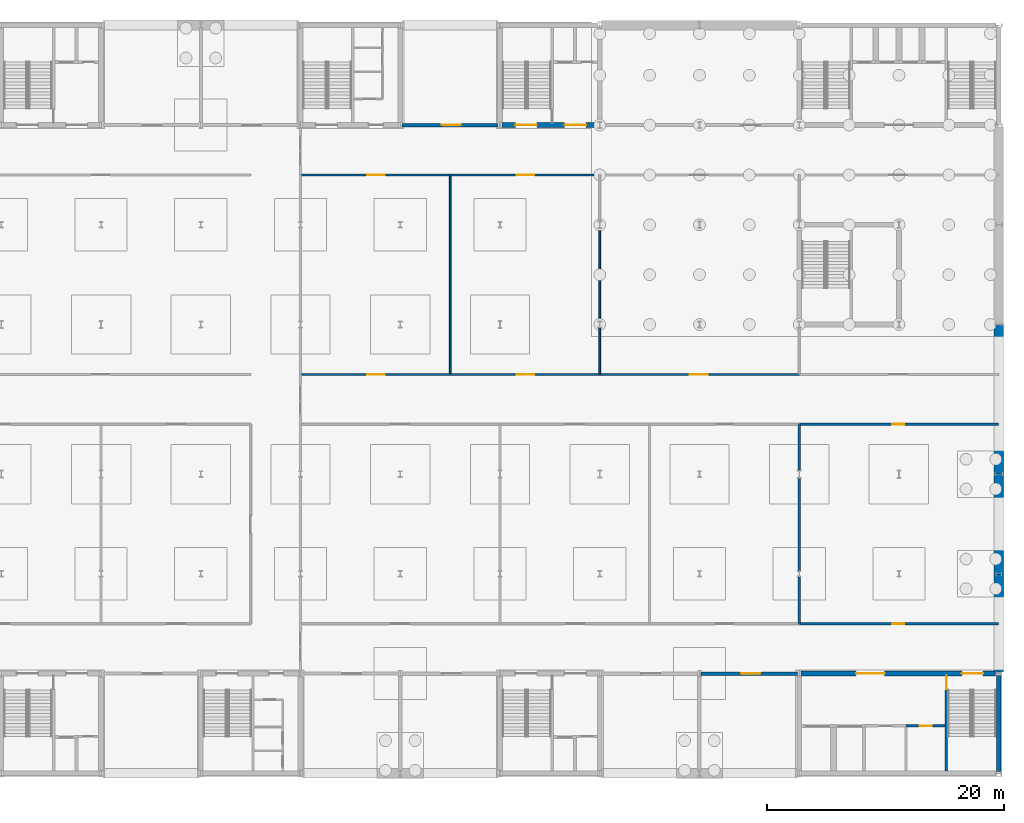
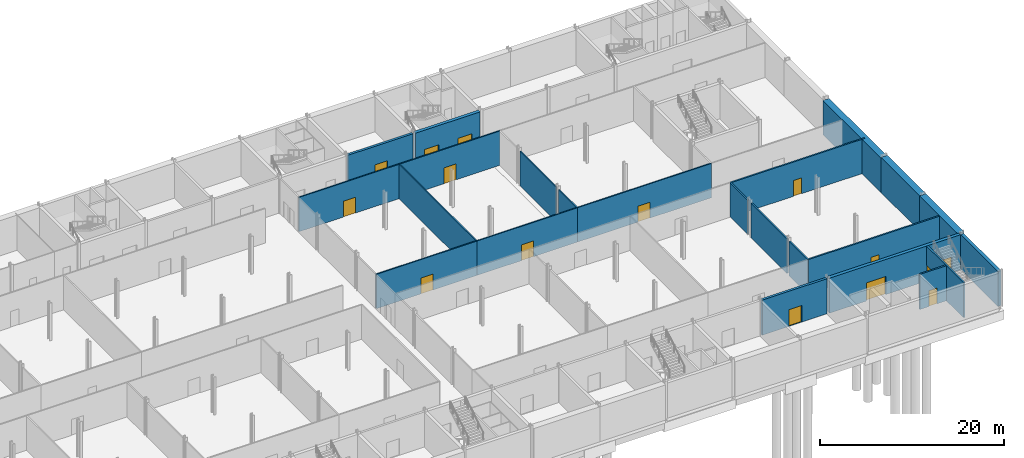
# One storey, part 17 of 22: 23 walls, 15 doors, 15 openings.
"""IFC4 building model written with IfcOpenShell, lengths in metres."""

from ifc_helpers import new_model, si_unit, direction, frame, frame_2d, origin, place, context, subcontext, project, spatial, rectangle, extrude, material, layer, layer_set, type_object, element, fill, save


model = new_model("IFC4")

# Units and contexts
model_context = context("Model", 3, precision=1e-05, world=origin(), true_north=direction((0.0, 1.0)))
body_context = subcontext(model_context, "Body", "Model", "MODEL_VIEW")
ifc_project = project(units=[si_unit("LENGTHUNIT", "METRE"), si_unit("AREAUNIT", "SQUARE_METRE"), si_unit("VOLUMEUNIT", "CUBIC_METRE"), si_unit("PLANEANGLEUNIT", "RADIAN"), si_unit("MASSUNIT", "GRAM", prefix="KILO")], contexts=[model_context])

# Site, building, storey
site_placement = place(None, origin())
site = spatial("IfcSite", under=ifc_project, at=site_placement, CompositionType="ELEMENT")
building_placement = place(site_placement, origin())
building = spatial("IfcBuilding", under=site, at=building_placement, Name="Galleria Vessillo Department Store", CompositionType="ELEMENT")
storey_placement = place(building_placement, frame((0.0, 0.0, -9.89990234375)))
storey = spatial("IfcBuildingStorey", under=building, at=storey_placement, Name="B2", CompositionType="ELEMENT", Elevation=-9.89990234375)

# Walls
ifc_material_1 = material(Name="Concrete C32/40 reinforced", Category="concrete")
ifc_layer_1 = layer(ifc_material_1, 0.800048828125)
ifc_layer_set_1 = layer_set([ifc_layer_1], Name="Concrete C32/40 reinforced")
wall_type_1 = type_object("IfcWallType", Name="Diaphragm wall 800 mm", PredefinedType="SOLIDWALL", material=ifc_layer_set_1)
wall_1_placement = place(storey_placement, frame((117.60009765625, 8.5498046875, 0.0), z_axis=(0.0, 0.0, 1.0), x_axis=(0.0, 1.0, 0.0)))
element("IfcWall", 1, at=wall_1_placement, inside=storey, type_object=wall_type_1, Name="S-BW-E-B2-01", PredefinedType="SOLIDWALL", context=body_context, shape_type="SweptSolid", body=[
    extrude(rectangle(XDim=8.250244140625, YDim=0.800048828125, at=frame_2d((4.125, 0.0))), origin(), (0.0, 0.0, 1.0), 4.64990234375),
])
wall_2_placement = place(storey_placement, frame((117.60009765625, 16.800048828125, 0.0), z_axis=(0.0, 0.0, 1.0), x_axis=(0.0, 1.0, 0.0)))
element("IfcWall", 2, at=wall_2_placement, inside=storey, type_object=wall_type_1, Name="S-BW-E-B2-02", PredefinedType="SOLIDWALL", context=body_context, shape_type="SweptSolid", body=[
    extrude(rectangle(XDim=8.39990234375, YDim=0.800048828125, at=frame_2d((4.199951171875, 0.0))), origin(), (0.0, 0.0, 1.0), 4.64990234375),
])
wall_3_placement = place(storey_placement, frame((117.60009765625, 25.199951171875, 0.0), z_axis=(0.0, 0.0, 1.0), x_axis=(0.0, 1.0, 0.0)))
element("IfcWall", 3, at=wall_3_placement, inside=storey, type_object=wall_type_1, Name="S-BW-E-B2-03", PredefinedType="SOLIDWALL", context=body_context, shape_type="SweptSolid", body=[
    extrude(rectangle(XDim=12.60009765625, YDim=0.800048828125, at=frame_2d((6.300048828125, 0.0))), origin(), (0.0, 0.0, 1.0), 4.550048828125),
])

# Wall, opening, door
ifc_material_2 = material(Name="Brick masonry", Category="masonry")
ifc_layer_2 = layer(ifc_material_2, 0.300048828125)
ifc_layer_set_2 = layer_set([ifc_layer_2], Name="Brick masonry")
wall_type_2 = type_object("IfcWallType", Name="Electrical room masonry wall 300 mm", PredefinedType="SOLIDWALL", material=ifc_layer_set_2)
wall_4_placement = place(storey_placement, frame((92.5498046875, 8.39990234375, 0.0), z_axis=(0.0, 0.0, 1.0), x_axis=(1.0, 0.0, 0.0)))
wall_4 = element("IfcWall", 4, at=wall_4_placement, inside=storey, type_object=wall_type_2, Name="Partition wall PT11 on B2 no. 025", PredefinedType="SOLIDWALL", context=body_context, shape_type="SweptSolid", body=[
    extrude(rectangle(XDim=8.100341796875, YDim=0.300048828125, at=frame_2d((4.05029296875, 0.0))), origin(), (0.0, 0.0, 1.0), 4.64990234375),
])
opening_1_placement = place(wall_4_placement, frame((3.35009765625, 0.0, 0.0)))
opening_1 = element("IfcOpeningElement", 5, at=opening_1_placement, cuts=wall_4, Name="Opening D2020", PredefinedType="OPENING", context=body_context, shape_type="SweptSolid", body=[
    extrude(rectangle(XDim=1.60009765625, YDim=2.199951171875, at=frame_2d((0.800048828125, 1.10009765625))), frame((0.0, 0.16015625, 0.0), z_axis=(0.0, -1.0, 0.0), x_axis=(1.0, 0.0, 0.0)), (0.0, 0.0, 1.0), 0.320068359375),
])
ifc_material_3 = material(Name="Steel fire door leaf", Category="steel")
door_type_1 = type_object("IfcDoorType", Name="Plant room fire door 1600 x 2200 double leaf", OperationType="DOUBLE_DOOR_SINGLE_SWING", PredefinedType="DOOR", material=ifc_material_3)
door_1_placement = place(opening_1_placement, frame((1.60009765625, 0.0, 0.0), z_axis=(0.0, 0.0, 1.0), x_axis=(-1.0, 0.0, 0.0)))
door_1 = element("IfcDoor", 6, at=door_1_placement, inside=storey, type_object=door_type_1, Name="Door D2020", OperationType="DOUBLE_DOOR_SINGLE_SWING", OverallHeight=2.199951171875, OverallWidth=1.60009765625, PredefinedType="DOOR", context=body_context, shape_type="SweptSolid", body=[
    extrude(rectangle(XDim=1.60009765625, YDim=2.199951171875, at=frame_2d((0.800048828125, 1.10009765625))), frame((0.0, 0.02490234375, 0.0), z_axis=(0.0, -1.0, 0.0), x_axis=(1.0, 0.0, 0.0)), (0.0, 0.0, 1.0), 0.050048828125),
])
fill(opening_1, door_1)

wall_5_placement = place(storey_placement, frame((67.349853515625, 54.60009765625, 0.0), z_axis=(0.0, 0.0, 1.0), x_axis=(1.0, 0.0, 0.0)))
wall_5 = element("IfcWall", 7, at=wall_5_placement, inside=storey, type_object=wall_type_2, Name="Partition wall PT11 on B2 no. 061", PredefinedType="SOLIDWALL", context=body_context, shape_type="SweptSolid", body=[
    extrude(rectangle(XDim=8.100341796875, YDim=0.300048828125, at=frame_2d((4.05029296875, 0.0))), origin(), (0.0, 0.0, 1.0), 4.64990234375),
])
opening_2_placement = place(wall_5_placement, frame((3.35009765625, 0.0, 0.0)))
opening_2 = element("IfcOpeningElement", 8, at=opening_2_placement, cuts=wall_5, Name="Opening D2057", PredefinedType="OPENING", context=body_context, shape_type="SweptSolid", body=[
    extrude(rectangle(XDim=1.60009765625, YDim=2.199951171875, at=frame_2d((0.800048828125, 1.10009765625))), frame((0.0, 0.16015625, 0.0), z_axis=(0.0, -1.0, 0.0), x_axis=(1.0, 0.0, 0.0)), (0.0, 0.0, 1.0), 0.320068359375),
])
door_2_placement = place(opening_2_placement, origin())
door_2 = element("IfcDoor", 9, at=door_2_placement, inside=storey, type_object=door_type_1, Name="Door D2057", OperationType="DOUBLE_DOOR_SINGLE_SWING", OverallHeight=2.199951171875, OverallWidth=1.60009765625, PredefinedType="DOOR", context=body_context, shape_type="SweptSolid", body=[
    extrude(rectangle(XDim=1.60009765625, YDim=2.199951171875, at=frame_2d((0.800048828125, 1.10009765625))), frame((0.0, 0.02490234375, 0.0), z_axis=(0.0, -1.0, 0.0), x_axis=(1.0, 0.0, 0.0)), (0.0, 0.0, 1.0), 0.050048828125),
])
fill(opening_2, door_2)

ifc_material_4 = material(Name="Concrete blockwork", Category="masonry")
ifc_layer_3 = layer(ifc_material_4, 0.18994140625)
ifc_layer_set_3 = layer_set([ifc_layer_3], Name="Concrete blockwork")
wall_type_3 = type_object("IfcWallType", Name="Refuse store and dock blockwork wall 190 mm", PredefinedType="SOLIDWALL", material=ifc_layer_set_3)
wall_6_placement = place(storey_placement, frame((100.800048828125, 12.60009765625, 0.0), z_axis=(0.0, 0.0, 1.0), x_axis=(1.0, 0.0, 0.0)))
wall_6 = element("IfcWall", 10, at=wall_6_placement, inside=storey, type_object=wall_type_3, Name="Partition wall PT7 on B2 no. 029", PredefinedType="SOLIDWALL", context=body_context, shape_type="SweptSolid", body=[
    extrude(rectangle(XDim=16.800048828125, YDim=0.18994140625, at=frame_2d((8.39990234375, 0.0))), origin(), (0.0, 0.0, 1.0), 4.550048828125),
])
opening_3_placement = place(wall_6_placement, frame((7.85009765625, 0.0, 0.0)))
opening_3 = element("IfcOpeningElement", 11, at=opening_3_placement, cuts=wall_6, Name="Opening D2024", PredefinedType="OPENING", context=body_context, shape_type="SweptSolid", body=[
    extrude(rectangle(XDim=1.0, YDim=2.10009765625, at=frame_2d((0.5, 1.050048828125))), frame((0.0, 0.10498046875, 0.0), z_axis=(0.0, -1.0, 0.0), x_axis=(1.0, 0.0, 0.0)), (0.0, 0.0, 1.0), 0.2099609375),
])
ifc_material_5 = material(Name="Steel fire door leaf", Category="steel")
door_type_2 = type_object("IfcDoorType", Name="Fire door 1000 single leaf", OperationType="SINGLE_SWING_LEFT", PredefinedType="DOOR", material=ifc_material_5)
door_3_placement = place(opening_3_placement, origin())
door_3 = element("IfcDoor", 12, at=door_3_placement, inside=storey, type_object=door_type_2, Name="Door D2024", OperationType="SINGLE_SWING_RIGHT", OverallHeight=2.10009765625, OverallWidth=1.0, PredefinedType="DOOR", context=body_context, shape_type="SweptSolid", body=[
    extrude(rectangle(XDim=1.0, YDim=2.10009765625, at=frame_2d((0.5, 1.050048828125))), frame((0.0, 0.02490234375, 0.0), z_axis=(0.0, -1.0, 0.0), x_axis=(1.0, 0.0, 0.0)), (0.0, 0.0, 1.0), 0.050048828125),
])
fill(opening_3, door_3)

wall_7_placement = place(storey_placement, frame((100.800048828125, 29.39990234375, 0.0), z_axis=(0.0, 0.0, 1.0), x_axis=(1.0, 0.0, 0.0)))
wall_7 = element("IfcWall", 13, at=wall_7_placement, inside=storey, type_object=wall_type_3, Name="Partition wall PT7 on B2 no. 041", PredefinedType="SOLIDWALL", context=body_context, shape_type="SweptSolid", body=[
    extrude(rectangle(XDim=16.800048828125, YDim=0.18994140625, at=frame_2d((8.39990234375, 0.0))), origin(), (0.0, 0.0, 1.0), 4.550048828125),
])
opening_4_placement = place(wall_7_placement, frame((7.85009765625, 0.0, 0.0)))
opening_4 = element("IfcOpeningElement", 14, at=opening_4_placement, cuts=wall_7, Name="Opening D2037", PredefinedType="OPENING", context=body_context, shape_type="SweptSolid", body=[
    extrude(rectangle(XDim=1.0, YDim=2.10009765625, at=frame_2d((0.5, 1.050048828125))), frame((0.0, 0.10498046875, 0.0), z_axis=(0.0, -1.0, 0.0), x_axis=(1.0, 0.0, 0.0)), (0.0, 0.0, 1.0), 0.2099609375),
])
door_4_placement = place(opening_4_placement, frame((1.0, 0.0, 0.0), z_axis=(0.0, 0.0, 1.0), x_axis=(-1.0, 0.0, 0.0)))
door_4 = element("IfcDoor", 15, at=door_4_placement, inside=storey, type_object=door_type_2, Name="Door D2037", OperationType="SINGLE_SWING_LEFT", OverallHeight=2.10009765625, OverallWidth=1.0, PredefinedType="DOOR", context=body_context, shape_type="SweptSolid", body=[
    extrude(rectangle(XDim=1.0, YDim=2.10009765625, at=frame_2d((0.5, 1.050048828125))), frame((0.0, 0.02490234375, 0.0), z_axis=(0.0, -1.0, 0.0), x_axis=(1.0, 0.0, 0.0)), (0.0, 0.0, 1.0), 0.050048828125),
])
fill(opening_4, door_4)

# Walls
wall_8_placement = place(storey_placement, frame((100.800048828125, 12.60009765625, 0.0), z_axis=(0.0, 0.0, 1.0), x_axis=(0.0, 1.0, 0.0)))
element("IfcWall", 16, at=wall_8_placement, inside=storey, type_object=wall_type_3, Name="Partition wall PT7 on B2 no. 085", PredefinedType="SOLIDWALL", context=body_context, shape_type="SweptSolid", body=[
    extrude(rectangle(XDim=3.949951171875, YDim=0.18994140625, at=frame_2d((1.97509765625, 0.0))), origin(), (0.0, 0.0, 1.0), 4.550048828125),
])
wall_9_placement = place(storey_placement, frame((100.800048828125, 17.050048828125, 0.0), z_axis=(0.0, 0.0, 1.0), x_axis=(0.0, 1.0, 0.0)))
element("IfcWall", 17, at=wall_9_placement, inside=storey, type_object=wall_type_3, Name="Partition wall PT7 on B2 no. 086", PredefinedType="SOLIDWALL", context=body_context, shape_type="SweptSolid", body=[
    extrude(rectangle(XDim=7.81591796875, YDim=0.18994140625, at=frame_2d((3.907958984375, 0.0))), origin(), (0.0, 0.0, 1.0), 4.550048828125),
])
wall_10_placement = place(storey_placement, frame((100.800048828125, 25.533935546875, 0.0), z_axis=(0.0, 0.0, 1.0), x_axis=(0.0, 1.0, 0.0)))
element("IfcWall", 18, at=wall_10_placement, inside=storey, type_object=wall_type_3, Name="Partition wall PT7 on B2 no. 087", PredefinedType="SOLIDWALL", context=body_context, shape_type="SweptSolid", body=[
    extrude(rectangle(XDim=3.865966796875, YDim=0.18994140625, at=frame_2d((1.93310546875, 0.0))), origin(), (0.0, 0.0, 1.0), 4.550048828125),
])

# Wall, openings, doors
ifc_material_6 = material(Name="Concrete C32/40 reinforced", Category="concrete")
ifc_layer_4 = layer(ifc_material_6, 0.39990234375)
ifc_layer_set_4 = layer_set([ifc_layer_4], Name="Concrete C32/40 reinforced")
wall_type_4 = type_object("IfcWallType", Name="Reinforced concrete core wall 400 mm", PredefinedType="SHEAR", material=ifc_layer_set_4)
wall_11_placement = place(storey_placement, frame((75.75, 54.60009765625, 0.0), z_axis=(0.0, 0.0, 1.0), x_axis=(1.0, 0.0, 0.0)))
wall_11 = element("IfcWall", 19, at=wall_11_placement, inside=storey, type_object=wall_type_4, Name="S-CW-PC-NE-INTERIOR-B2", PredefinedType="SHEAR", context=body_context, shape_type="SweptSolid", body=[
    extrude(rectangle(XDim=8.096923828125, YDim=0.39990234375, at=frame_2d((4.04833984375, 0.0))), origin(), (0.0, 0.0, 1.0), 4.64990234375),
])
opening_5_placement = place(wall_11_placement, frame((1.14990234375, 0.0, 0.0)))
opening_5 = element("IfcOpeningElement", 20, at=opening_5_placement, cuts=wall_11, Name="Opening D5160", PredefinedType="OPENING", context=body_context, shape_type="SweptSolid", body=[
    extrude(rectangle(XDim=1.800048828125, YDim=2.10009765625, at=frame_2d((0.89990234375, 1.050048828125))), frame((0.0, 0.2099609375, 0.0), z_axis=(0.0, -1.0, 0.0), x_axis=(1.0, 0.0, 0.0)), (0.0, 0.0, 1.0), 0.419921875),
])
opening_6_placement = place(wall_11_placement, frame((5.2998046875, 0.0, 0.0)))
opening_6 = element("IfcOpeningElement", 21, at=opening_6_placement, cuts=wall_11, Name="Opening D5161", PredefinedType="OPENING", context=body_context, shape_type="SweptSolid", body=[
    extrude(rectangle(XDim=1.800048828125, YDim=2.10009765625, at=frame_2d((0.89990234375, 1.050048828125))), frame((0.0, 0.2099609375, 0.0), z_axis=(0.0, -1.0, 0.0), x_axis=(1.0, 0.0, 0.0)), (0.0, 0.0, 1.0), 0.419921875),
])
ifc_material_7 = material(Name="Fire-rated steel door leaf", Category="steel")
door_type_3 = type_object("IfcDoorType", Name="Door D180F double leaf 1800 x 2100", OperationType="DOUBLE_DOOR_SINGLE_SWING", PredefinedType="DOOR", material=ifc_material_7)
door_5_placement = place(opening_5_placement, origin())
door_5 = element("IfcDoor", 22, at=door_5_placement, inside=storey, type_object=door_type_3, Name="Lobby door PC-NE-ST-FLOOR B2", OperationType="DOUBLE_DOOR_SINGLE_SWING", OverallHeight=2.10009765625, OverallWidth=1.800048828125, PredefinedType="DOOR", context=body_context, shape_type="SweptSolid", body=[
    extrude(rectangle(XDim=1.800048828125, YDim=2.10009765625, at=frame_2d((0.89990234375, 1.050048828125))), frame((0.0, 0.02490234375, 0.0), z_axis=(0.0, -1.0, 0.0), x_axis=(1.0, 0.0, 0.0)), (0.0, 0.0, 1.0), 0.050048828125),
])
fill(opening_5, door_5)
door_6_placement = place(opening_6_placement, frame((1.800048828125, 0.0, 0.0), z_axis=(0.0, 0.0, 1.0), x_axis=(-1.0, 0.0, 0.0)))
door_6 = element("IfcDoor", 23, at=door_6_placement, inside=storey, type_object=door_type_3, Name="Lobby door PC-NE-LOBBY-FLOOR B2", OperationType="DOUBLE_DOOR_SINGLE_SWING", OverallHeight=2.10009765625, OverallWidth=1.800048828125, PredefinedType="DOOR", context=body_context, shape_type="SweptSolid", body=[
    extrude(rectangle(XDim=1.800048828125, YDim=2.10009765625, at=frame_2d((0.89990234375, 1.050048828125))), frame((0.0, 0.02490234375, 0.0), z_axis=(0.0, -1.0, 0.0), x_axis=(1.0, 0.0, 0.0)), (0.0, 0.0, 1.0), 0.050048828125),
])
fill(opening_6, door_6)

wall_12_placement = place(storey_placement, frame((100.949951171875, 8.39990234375, 0.0), z_axis=(0.0, 0.0, 1.0), x_axis=(1.0, 0.0, 0.0)))
wall_12 = element("IfcWall", 24, at=wall_12_placement, inside=storey, type_object=wall_type_4, Name="S-CW-GC-INTERIOR-B2", PredefinedType="SHEAR", context=body_context, shape_type="SweptSolid", body=[
    extrude(rectangle(XDim=16.400146484375, YDim=0.39990234375, at=frame_2d((8.2001953125, 0.0))), origin(), (0.0, 0.0, 1.0), 4.64990234375),
])
opening_7_placement = place(wall_12_placement, frame((13.5498046875, 0.0, 0.0)))
opening_7 = element("IfcOpeningElement", 25, at=opening_7_placement, cuts=wall_12, Name="Opening D5222", PredefinedType="OPENING", context=body_context, shape_type="SweptSolid", body=[
    extrude(rectangle(XDim=1.800048828125, YDim=2.10009765625, at=frame_2d((0.89990234375, 1.050048828125))), frame((0.0, 0.2099609375, 0.0), z_axis=(0.0, -1.0, 0.0), x_axis=(1.0, 0.0, 0.0)), (0.0, 0.0, 1.0), 0.419921875),
])
opening_8_placement = place(wall_12_placement, frame((4.64990234375, 0.0, 0.0)))
opening_8 = element("IfcOpeningElement", 26, at=opening_8_placement, cuts=wall_12, Name="Opening D5223", PredefinedType="OPENING", context=body_context, shape_type="SweptSolid", body=[
    extrude(rectangle(XDim=2.39990234375, YDim=2.39990234375, at=frame_2d((1.199951171875, 1.199951171875))), frame((0.0, 0.2099609375, 0.0), z_axis=(0.0, -1.0, 0.0), x_axis=(1.0, 0.0, 0.0)), (0.0, 0.0, 1.0), 0.419921875),
])
door_7_placement = place(opening_7_placement, frame((1.800048828125, 0.0, 0.0), z_axis=(0.0, 0.0, 1.0), x_axis=(-1.0, 0.0, 0.0)))
door_7 = element("IfcDoor", 27, at=door_7_placement, inside=storey, type_object=door_type_3, Name="Lobby door GC-ST7-FLOOR B2", OperationType="DOUBLE_DOOR_SINGLE_SWING", OverallHeight=2.10009765625, OverallWidth=1.800048828125, PredefinedType="DOOR", context=body_context, shape_type="SweptSolid", body=[
    extrude(rectangle(XDim=1.800048828125, YDim=2.10009765625, at=frame_2d((0.89990234375, 1.050048828125))), frame((0.0, 0.02490234375, 0.0), z_axis=(0.0, -1.0, 0.0), x_axis=(1.0, 0.0, 0.0)), (0.0, 0.0, 1.0), 0.050048828125),
])
fill(opening_7, door_7)
ifc_material_8 = material(Name="Fire-rated steel door leaf", Category="steel")
door_type_4 = type_object("IfcDoorType", Name="Door D240F double leaf 2400 x 2400", OperationType="DOUBLE_DOOR_SINGLE_SWING", PredefinedType="DOOR", material=ifc_material_8)
door_8_placement = place(opening_8_placement, origin())
door_8 = element("IfcDoor", 28, at=door_8_placement, inside=storey, type_object=door_type_4, Name="Lobby door GC-DOCK B2", OperationType="DOUBLE_DOOR_SINGLE_SWING", OverallHeight=2.39990234375, OverallWidth=2.39990234375, PredefinedType="DOOR", context=body_context, shape_type="SweptSolid", body=[
    extrude(rectangle(XDim=2.39990234375, YDim=2.39990234375, at=frame_2d((1.199951171875, 1.199951171875))), frame((0.0, 0.02490234375, 0.0), z_axis=(0.0, -1.0, 0.0), x_axis=(1.0, 0.0, 0.0)), (0.0, 0.0, 1.0), 0.050048828125),
])
fill(opening_8, door_8)

# Wall
ifc_material_9 = material(Name="Concrete C32/40 reinforced", Category="concrete")
ifc_layer_5 = layer(ifc_material_9, 0.39990234375)
ifc_layer_set_5 = layer_set([ifc_layer_5], Name="Concrete C32/40 reinforced")
wall_type_5 = type_object("IfcWallType", Name="Reinforced concrete core wall 400 mm, external", PredefinedType="SHEAR", material=ifc_layer_set_5)
wall_13_placement = place(storey_placement, frame((117.60009765625, 0.14990234375, 0.0), z_axis=(0.0, 0.0, 1.0), x_axis=(0.0, 1.0, 0.0)))
element("IfcWall", 29, at=wall_13_placement, inside=storey, type_object=wall_type_5, Name="S-CW-GC-EAST-B2", PredefinedType="SHEAR", context=body_context, shape_type="SweptSolid", body=[
    extrude(rectangle(XDim=8.10009765625, YDim=0.39990234375, at=frame_2d((4.050048828125, 0.0))), origin(), (0.0, 0.0, 1.0), 4.64990234375),
])

# Wall, opening, door
ifc_material_10 = material(Name="Concrete C32/40 reinforced", Category="concrete")
ifc_layer_6 = layer(ifc_material_10, 0.199951171875)
ifc_layer_set_6 = layer_set([ifc_layer_6], Name="Concrete C32/40 reinforced")
wall_type_6 = type_object("IfcWallType", Name="Reinforced concrete stair enclosure wall 200 mm", PredefinedType="SHEAR", material=ifc_layer_set_6)
wall_14_placement = place(storey_placement, frame((113.199951171875, 0.199951171875, 0.0), z_axis=(0.0, 0.0, 1.0), x_axis=(0.0, 1.0, 0.0)))
wall_14 = element("IfcWall", 30, at=wall_14_placement, inside=storey, type_object=wall_type_6, Name="Stair enclosure wall GC B2", PredefinedType="SHEAR", context=body_context, shape_type="SweptSolid", body=[
    extrude(rectangle(XDim=8.0, YDim=0.199951171875, at=frame_2d((4.0, 0.0))), origin(), (0.0, 0.0, 1.0), 4.64990234375),
])
opening_9_placement = place(wall_14_placement, frame((6.89990234375, 0.0, 0.0)))
opening_9 = element("IfcOpeningElement", 31, at=opening_9_placement, cuts=wall_14, Name="Opening D5219", PredefinedType="OPENING", context=body_context, shape_type="SweptSolid", body=[
    extrude(rectangle(XDim=1.11009765625, YDim=2.10009765625, at=frame_2d((0.554931640625, 1.050048828125))), frame((0.0, 0.10986328125, 0.0), z_axis=(0.0, -1.0, 0.0), x_axis=(1.0, 0.0, 0.0)), (0.0, 0.0, 1.0), 0.219970703125),
])
ifc_material_11 = material(Name="Fire-rated steel door leaf", Category="steel")
door_type_5 = type_object("IfcDoorType", Name="Door D110F stair door 1100 x 2100", OperationType="SINGLE_SWING_LEFT", PredefinedType="DOOR", material=ifc_material_11)
door_9_placement = place(opening_9_placement, frame((1.10009765625, 0.0, 0.0), z_axis=(0.0, 0.0, 1.0), x_axis=(-1.0, 0.0, 0.0)))
door_9 = element("IfcDoor", 32, at=door_9_placement, inside=storey, type_object=door_type_5, Name="Stair door GC-ST7-LOBBY B2", OperationType="SINGLE_SWING_LEFT", OverallHeight=2.10009765625, OverallWidth=1.10009765625, PredefinedType="DOOR", context=body_context, shape_type="SweptSolid", body=[
    extrude(rectangle(XDim=1.10009765625, YDim=2.10009765625, at=frame_2d((0.550048828125, 1.050048828125))), frame((0.0, 0.02490234375, 0.0), z_axis=(0.0, -1.0, 0.0), x_axis=(1.0, 0.0, 0.0)), (0.0, 0.0, 1.0), 0.050048828125),
])
fill(opening_9, door_9)

ifc_material_12 = material(Name="Hollow clay block masonry", Category="masonry")
ifc_layer_7 = layer(ifc_material_12, 0.199951171875)
ifc_layer_set_7 = layer_set([ifc_layer_7], Name="Hollow clay block masonry")
wall_type_7 = type_object("IfcWallType", Name="Riser and service room wall 200 mm", PredefinedType="PARTITIONING", material=ifc_layer_set_7)
wall_15_placement = place(storey_placement, frame((109.800048828125, 4.0, 0.0), z_axis=(0.0, 0.0, 1.0), x_axis=(1.0, 0.0, 0.0)))
wall_15 = element("IfcWall", 33, at=wall_15_placement, inside=storey, type_object=wall_type_7, Name="Service room wall GC-SERVICE-2 B2", PredefinedType="PARTITIONING", context=body_context, shape_type="SweptSolid", body=[
    extrude(rectangle(XDim=3.300048828125, YDim=0.199951171875, at=frame_2d((1.64990234375, 0.0))), origin(), (0.0, 0.0, 1.0), 4.64990234375),
])
opening_10_placement = place(wall_15_placement, frame((1.14990234375, 0.0, 0.0)))
opening_10 = element("IfcOpeningElement", 34, at=opening_10_placement, cuts=wall_15, Name="Opening D5221", PredefinedType="OPENING", context=body_context, shape_type="SweptSolid", body=[
    extrude(rectangle(XDim=1.0, YDim=2.10009765625, at=frame_2d((0.5, 1.050048828125))), frame((0.0, 0.10986328125, 0.0), z_axis=(0.0, -1.0, 0.0), x_axis=(1.0, 0.0, 0.0)), (0.0, 0.0, 1.0), 0.219970703125),
])
ifc_material_13 = material(Name="Fire-rated steel door leaf", Category="steel")
door_type_6 = type_object("IfcDoorType", Name="Door D100 service room 1000 x 2100", OperationType="SINGLE_SWING_LEFT", PredefinedType="DOOR", material=ifc_material_13)
door_10_placement = place(opening_10_placement, frame((1.0, 0.0, 0.0), z_axis=(0.0, 0.0, 1.0), x_axis=(-1.0, 0.0, 0.0)))
door_10 = element("IfcDoor", 35, at=door_10_placement, inside=storey, type_object=door_type_6, Name="Service room door GC-SERVICE-2 B2", OperationType="SINGLE_SWING_RIGHT", OverallHeight=2.10009765625, OverallWidth=1.0, PredefinedType="DOOR", context=body_context, shape_type="SweptSolid", body=[
    extrude(rectangle(XDim=1.0, YDim=2.10009765625, at=frame_2d((0.5, 1.050048828125))), frame((0.0, 0.02490234375, 0.0), z_axis=(0.0, -1.0, 0.0), x_axis=(1.0, 0.0, 0.0)), (0.0, 0.0, 1.0), 0.050048828125),
])
fill(opening_10, door_10)

ifc_material_14 = material(Name="Concrete blockwork", Category="masonry")
ifc_layer_8 = layer(ifc_material_14, 0.14990234375)
ifc_layer_set_8 = layer_set([ifc_layer_8], Name="Concrete blockwork")
wall_type_8 = type_object("IfcWallType", Name="Stockroom blockwork wall 150 mm", PredefinedType="SOLIDWALL", material=ifc_layer_set_8)
wall_16_placement = place(storey_placement, frame((58.800048828125, 33.60009765625, 0.0), z_axis=(0.0, 0.0, 1.0), x_axis=(1.0, 0.0, 0.0)))
wall_16 = element("IfcWall", 36, at=wall_16_placement, inside=storey, type_object=wall_type_8, Name="Partition wall PT4 on B2 no. 042", PredefinedType="SOLIDWALL", context=body_context, shape_type="SweptSolid", body=[
    extrude(rectangle(XDim=12.599853515625, YDim=0.14990234375, at=frame_2d((6.2998046875, 0.0))), origin(), (0.0, 0.0, 1.0), 4.550048828125),
])
opening_11_placement = place(wall_16_placement, frame((5.60009765625, 0.0, 0.0)))
opening_11 = element("IfcOpeningElement", 37, at=opening_11_placement, cuts=wall_16, Name="Opening D2038", PredefinedType="OPENING", context=body_context, shape_type="SweptSolid", body=[
    extrude(rectangle(XDim=1.5, YDim=2.10009765625, at=frame_2d((0.75, 1.050048828125))), frame((0.0, 0.0849609375, 0.0), z_axis=(0.0, -1.0, 0.0), x_axis=(1.0, 0.0, 0.0)), (0.0, 0.0, 1.0), 0.169921875),
])
ifc_material_15 = material(Name="Steel fire door leaf", Category="steel")
door_type_7 = type_object("IfcDoorType", Name="Stockroom fire door 1500 double leaf", OperationType="DOUBLE_DOOR_SINGLE_SWING", PredefinedType="DOOR", material=ifc_material_15)
door_11_placement = place(opening_11_placement, origin())
door_11 = element("IfcDoor", 38, at=door_11_placement, inside=storey, type_object=door_type_7, Name="Door D2038", OperationType="DOUBLE_DOOR_SINGLE_SWING", OverallHeight=2.10009765625, OverallWidth=1.5, PredefinedType="DOOR", context=body_context, shape_type="SweptSolid", body=[
    extrude(rectangle(XDim=1.5, YDim=2.10009765625, at=frame_2d((0.75, 1.050048828125))), frame((0.0, 0.02490234375, 0.0), z_axis=(0.0, -1.0, 0.0), x_axis=(1.0, 0.0, 0.0)), (0.0, 0.0, 1.0), 0.050048828125),
])
fill(opening_11, door_11)

wall_17_placement = place(storey_placement, frame((71.39990234375, 33.60009765625, 0.0), z_axis=(0.0, 0.0, 1.0), x_axis=(1.0, 0.0, 0.0)))
wall_17 = element("IfcWall", 39, at=wall_17_placement, inside=storey, type_object=wall_type_8, Name="Partition wall PT4 on B2 no. 043", PredefinedType="SOLIDWALL", context=body_context, shape_type="SweptSolid", body=[
    extrude(rectangle(XDim=12.60009765625, YDim=0.14990234375, at=frame_2d((6.300048828125, 0.0))), origin(), (0.0, 0.0, 1.0), 4.550048828125),
])
opening_12_placement = place(wall_17_placement, frame((5.60009765625, 0.0, 0.0)))
opening_12 = element("IfcOpeningElement", 40, at=opening_12_placement, cuts=wall_17, Name="Opening D2039", PredefinedType="OPENING", context=body_context, shape_type="SweptSolid", body=[
    extrude(rectangle(XDim=1.5, YDim=2.10009765625, at=frame_2d((0.75, 1.050048828125))), frame((0.0, 0.0849609375, 0.0), z_axis=(0.0, -1.0, 0.0), x_axis=(1.0, 0.0, 0.0)), (0.0, 0.0, 1.0), 0.169921875),
])
door_12_placement = place(opening_12_placement, origin())
door_12 = element("IfcDoor", 41, at=door_12_placement, inside=storey, type_object=door_type_7, Name="Door D2039", OperationType="DOUBLE_DOOR_SINGLE_SWING", OverallHeight=2.10009765625, OverallWidth=1.5, PredefinedType="DOOR", context=body_context, shape_type="SweptSolid", body=[
    extrude(rectangle(XDim=1.5, YDim=2.10009765625, at=frame_2d((0.75, 1.050048828125))), frame((0.0, 0.02490234375, 0.0), z_axis=(0.0, -1.0, 0.0), x_axis=(1.0, 0.0, 0.0)), (0.0, 0.0, 1.0), 0.050048828125),
])
fill(opening_12, door_12)

wall_18_placement = place(storey_placement, frame((84.0, 33.60009765625, 0.0), z_axis=(0.0, 0.0, 1.0), x_axis=(1.0, 0.0, 0.0)))
wall_18 = element("IfcWall", 42, at=wall_18_placement, inside=storey, type_object=wall_type_8, Name="Partition wall PT4 on B2 no. 044", PredefinedType="SOLIDWALL", context=body_context, shape_type="SweptSolid", body=[
    extrude(rectangle(XDim=16.800048828125, YDim=0.14990234375, at=frame_2d((8.39990234375, 0.0))), origin(), (0.0, 0.0, 1.0), 4.550048828125),
])
opening_13_placement = place(wall_18_placement, frame((7.60009765625, 0.0, 0.0)))
opening_13 = element("IfcOpeningElement", 43, at=opening_13_placement, cuts=wall_18, Name="Opening D2040", PredefinedType="OPENING", context=body_context, shape_type="SweptSolid", body=[
    extrude(rectangle(XDim=1.5, YDim=2.10009765625, at=frame_2d((0.75, 1.050048828125))), frame((0.0, 0.0849609375, 0.0), z_axis=(0.0, -1.0, 0.0), x_axis=(1.0, 0.0, 0.0)), (0.0, 0.0, 1.0), 0.169921875),
])
door_13_placement = place(opening_13_placement, origin())
door_13 = element("IfcDoor", 44, at=door_13_placement, inside=storey, type_object=door_type_7, Name="Door D2040", OperationType="DOUBLE_DOOR_SINGLE_SWING", OverallHeight=2.10009765625, OverallWidth=1.5, PredefinedType="DOOR", context=body_context, shape_type="SweptSolid", body=[
    extrude(rectangle(XDim=1.5, YDim=2.10009765625, at=frame_2d((0.75, 1.050048828125))), frame((0.0, 0.02490234375, 0.0), z_axis=(0.0, -1.0, 0.0), x_axis=(1.0, 0.0, 0.0)), (0.0, 0.0, 1.0), 0.050048828125),
])
fill(opening_13, door_13)

wall_19_placement = place(storey_placement, frame((58.800048828125, 50.39990234375, 0.0), z_axis=(0.0, 0.0, 1.0), x_axis=(1.0, 0.0, 0.0)))
wall_19 = element("IfcWall", 45, at=wall_19_placement, inside=storey, type_object=wall_type_8, Name="Partition wall PT4 on B2 no. 057", PredefinedType="SOLIDWALL", context=body_context, shape_type="SweptSolid", body=[
    extrude(rectangle(XDim=12.599853515625, YDim=0.14990234375, at=frame_2d((6.2998046875, 0.0))), origin(), (0.0, 0.0, 1.0), 4.550048828125),
])
opening_14_placement = place(wall_19_placement, frame((5.60009765625, 0.0, 0.0)))
opening_14 = element("IfcOpeningElement", 46, at=opening_14_placement, cuts=wall_19, Name="Opening D2053", PredefinedType="OPENING", context=body_context, shape_type="SweptSolid", body=[
    extrude(rectangle(XDim=1.5, YDim=2.10009765625, at=frame_2d((0.75, 1.050048828125))), frame((0.0, 0.0849609375, 0.0), z_axis=(0.0, -1.0, 0.0), x_axis=(1.0, 0.0, 0.0)), (0.0, 0.0, 1.0), 0.169921875),
])
door_14_placement = place(opening_14_placement, frame((1.5, 0.0, 0.0), z_axis=(0.0, 0.0, 1.0), x_axis=(-1.0, 0.0, 0.0)))
door_14 = element("IfcDoor", 47, at=door_14_placement, inside=storey, type_object=door_type_7, Name="Door D2053", OperationType="DOUBLE_DOOR_SINGLE_SWING", OverallHeight=2.10009765625, OverallWidth=1.5, PredefinedType="DOOR", context=body_context, shape_type="SweptSolid", body=[
    extrude(rectangle(XDim=1.5, YDim=2.10009765625, at=frame_2d((0.75, 1.050048828125))), frame((0.0, 0.02490234375, 0.0), z_axis=(0.0, -1.0, 0.0), x_axis=(1.0, 0.0, 0.0)), (0.0, 0.0, 1.0), 0.050048828125),
])
fill(opening_14, door_14)

wall_20_placement = place(storey_placement, frame((71.39990234375, 50.39990234375, 0.0), z_axis=(0.0, 0.0, 1.0), x_axis=(1.0, 0.0, 0.0)))
wall_20 = element("IfcWall", 48, at=wall_20_placement, inside=storey, type_object=wall_type_8, Name="Partition wall PT4 on B2 no. 058", PredefinedType="SOLIDWALL", context=body_context, shape_type="SweptSolid", body=[
    extrude(rectangle(XDim=12.60009765625, YDim=0.14990234375, at=frame_2d((6.300048828125, 0.0))), origin(), (0.0, 0.0, 1.0), 4.550048828125),
])
opening_15_placement = place(wall_20_placement, frame((5.60009765625, 0.0, 0.0)))
opening_15 = element("IfcOpeningElement", 49, at=opening_15_placement, cuts=wall_20, Name="Opening D2054", PredefinedType="OPENING", context=body_context, shape_type="SweptSolid", body=[
    extrude(rectangle(XDim=1.5, YDim=2.10009765625, at=frame_2d((0.75, 1.050048828125))), frame((0.0, 0.0849609375, 0.0), z_axis=(0.0, -1.0, 0.0), x_axis=(1.0, 0.0, 0.0)), (0.0, 0.0, 1.0), 0.169921875),
])
door_15_placement = place(opening_15_placement, frame((1.5, 0.0, 0.0), z_axis=(0.0, 0.0, 1.0), x_axis=(-1.0, 0.0, 0.0)))
door_15 = element("IfcDoor", 50, at=door_15_placement, inside=storey, type_object=door_type_7, Name="Door D2054", OperationType="DOUBLE_DOOR_SINGLE_SWING", OverallHeight=2.10009765625, OverallWidth=1.5, PredefinedType="DOOR", context=body_context, shape_type="SweptSolid", body=[
    extrude(rectangle(XDim=1.5, YDim=2.10009765625, at=frame_2d((0.75, 1.050048828125))), frame((0.0, 0.02490234375, 0.0), z_axis=(0.0, -1.0, 0.0), x_axis=(1.0, 0.0, 0.0)), (0.0, 0.0, 1.0), 0.050048828125),
])
fill(opening_15, door_15)

# Walls
wall_21_placement = place(storey_placement, frame((71.39990234375, 33.60009765625, 0.0), z_axis=(0.0, 0.0, 1.0), x_axis=(0.0, 1.0, 0.0)))
element("IfcWall", 51, at=wall_21_placement, inside=storey, type_object=wall_type_8, Name="Partition wall PT4 on B2 no. 092", PredefinedType="SOLIDWALL", context=body_context, shape_type="SweptSolid", body=[
    extrude(rectangle(XDim=16.7998046875, YDim=0.14990234375, at=frame_2d((8.39990234375, 0.0))), origin(), (0.0, 0.0, 1.0), 4.550048828125),
])
wall_22_placement = place(storey_placement, frame((84.0, 33.60009765625, 0.0), z_axis=(0.0, 0.0, 1.0), x_axis=(0.0, 1.0, 0.0)))
element("IfcWall", 52, at=wall_22_placement, inside=storey, type_object=wall_type_8, Name="Partition wall PT4 on B2 no. 093", PredefinedType="SOLIDWALL", context=body_context, shape_type="SweptSolid", body=[
    extrude(rectangle(XDim=3.9140625, YDim=0.14990234375, at=frame_2d((1.95703125, 0.0))), origin(), (0.0, 0.0, 1.0), 4.550048828125),
])
wall_23_placement = place(storey_placement, frame((84.0, 38.0859375, 0.0), z_axis=(0.0, 0.0, 1.0), x_axis=(0.0, 1.0, 0.0)))
element("IfcWall", 53, at=wall_23_placement, inside=storey, type_object=wall_type_8, Name="Partition wall PT4 on B2 no. 094", PredefinedType="SOLIDWALL", context=body_context, shape_type="SweptSolid", body=[
    extrude(rectangle(XDim=7.828125, YDim=0.14990234375, at=frame_2d((3.9140625, 0.0))), origin(), (0.0, 0.0, 1.0), 4.550048828125),
])

save(model, "model.ifc")
